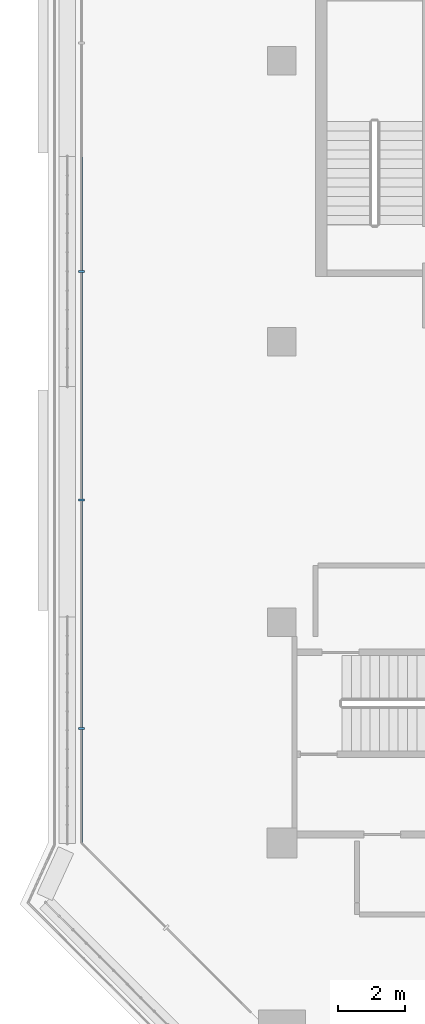
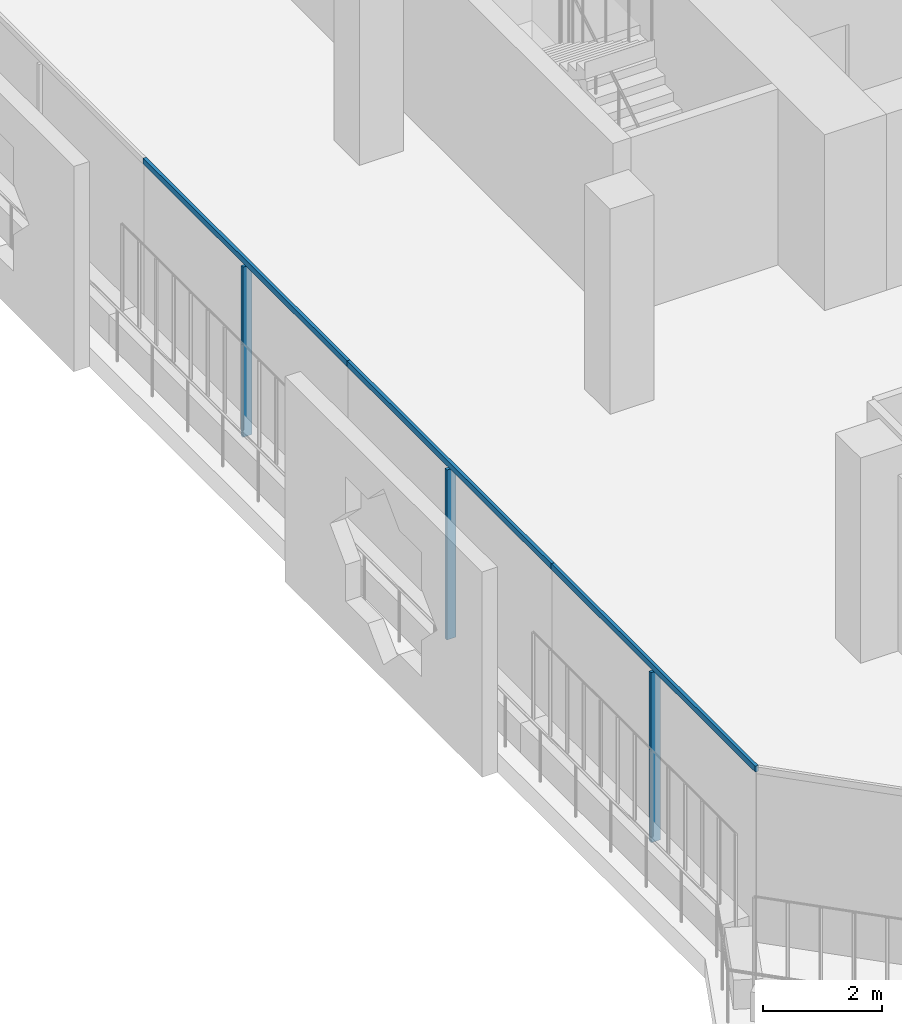
# One storey, part 3 of 24: 6 members, 1 element without a shape of its own.
"""IFC4 building model written with IfcOpenShell, lengths in metres."""

from ifc_helpers import new_model, si_unit, direction, frame, origin, origin_2d, place, context, subcontext, project, spatial, rectangle, extrude, material, layer, layer_set, material_profile, profile_set, type_object, element, aggregate, save


model = new_model("IFC4")

# Units and contexts
model_context = context("Model", 3, precision=1e-05, world=origin(), true_north=direction((0.0, 1.0)))
body_context = subcontext(model_context, "Body", "Model", "MODEL_VIEW")
ifc_project = project(units=[si_unit("LENGTHUNIT", "METRE"), si_unit("AREAUNIT", "SQUARE_METRE"), si_unit("VOLUMEUNIT", "CUBIC_METRE"), si_unit("PLANEANGLEUNIT", "RADIAN"), si_unit("MASSUNIT", "GRAM", prefix="KILO")], contexts=[model_context])

# Site, building, storey
site_placement = place(None, origin())
site = spatial("IfcSite", under=ifc_project, at=site_placement, CompositionType="ELEMENT")
building_placement = place(site_placement, origin())
building = spatial("IfcBuilding", under=site, at=building_placement, Name="Kawkab Arch Medical Tower", CompositionType="ELEMENT")
storey_placement = place(building_placement, frame((0.0, 0.0, 218.0)))
storey = spatial("IfcBuildingStorey", under=building, at=storey_placement, Name="L50", CompositionType="ELEMENT", Elevation=218.0)

# Curtain wall, members
ifc_material_1 = material(Name="Bronze anodised aluminium curtain wall frame", Category="aluminium")
ifc_layer = layer(ifc_material_1, 0.159912109375)
ifc_layer_set = layer_set([ifc_layer], Name="Bronze anodised aluminium curtain wall frame")
curtain_wall_type = type_object("IfcCurtainWallType", Name="CW1 ward curtain wall", PredefinedType="NOTDEFINED", material=ifc_layer_set)
curtain_wall_placement = place(storey_placement, origin())
curtain_wall = element("IfcCurtainWall", 1, at=curtain_wall_placement, inside=storey, type_object=curtain_wall_type, Name="CW1 Ward curtain wall R11", PredefinedType="NOTDEFINED")
ifc_material_2 = material(Name="Bronze anodised aluminium curtain wall frame", Category="aluminium")
ifc_material_profile_1 = material_profile(ifc_material_2, rectangle(XDim=0.179931640625, YDim=0.06005859375, at=origin_2d()), Name="AL 60x180")
ifc_profile_set_1 = profile_set([ifc_material_profile_1], Name="Bronze anodised aluminium curtain wall frame")
member_type_1 = type_object("IfcMemberType", Name="CW1 mullion 60 x 180", PredefinedType="MULLION", material=ifc_profile_set_1)
member_1_placement = place(storey_placement, frame((-6.0, -23.10009765625, 0.0), z_axis=(0.0, 0.0, 1.0), x_axis=(1.0, 0.0, 0.0)))
member_1 = element("IfcMember", 2, at=member_1_placement, type_object=member_type_1, Name="CW1 mullion 3.1", PredefinedType="MULLION", context=body_context, shape_type="SweptSolid", body=[
    extrude(rectangle(XDim=0.179931640625, YDim=0.06005859375, at=origin_2d()), origin(), (0.0, 0.0, 1.0), 3.47998046875),
])
member_2_placement = place(storey_placement, frame((-6.0, -29.93994140625, 0.0), z_axis=(0.0, 0.0, 1.0), x_axis=(1.0, 0.0, 0.0)))
member_2 = element("IfcMember", 3, at=member_2_placement, type_object=member_type_1, Name="CW1 mullion 4.1", PredefinedType="MULLION", context=body_context, shape_type="SweptSolid", body=[
    extrude(rectangle(XDim=0.179931640625, YDim=0.06005859375, at=origin_2d()), origin(), (0.0, 0.0, 1.0), 3.47998046875),
])
member_3_placement = place(storey_placement, frame((-6.0, -36.780029296875, 0.0), z_axis=(0.0, 0.0, 1.0), x_axis=(1.0, 0.0, 0.0)))
member_3 = element("IfcMember", 4, at=member_3_placement, type_object=member_type_1, Name="CW1 mullion 5.1", PredefinedType="MULLION", context=body_context, shape_type="SweptSolid", body=[
    extrude(rectangle(XDim=0.179931640625, YDim=0.06005859375, at=origin_2d()), origin(), (0.0, 0.0, 1.0), 3.47998046875),
])
ifc_material_3 = material(Name="Bronze anodised aluminium curtain wall frame", Category="aluminium")
ifc_material_profile_2 = material_profile(ifc_material_3, rectangle(XDim=0.06005859375, YDim=0.1201171875, at=origin_2d()), Name="AL 60x120")
ifc_profile_set_2 = profile_set([ifc_material_profile_2], Name="Bronze anodised aluminium curtain wall frame")
member_type_2 = type_object("IfcMemberType", Name="CW1 transom 120 x 60", PredefinedType="USERDEFINED", material=ifc_profile_set_2)
member_4_placement = place(storey_placement, frame((-6.0, -19.679931640625, 3.5400390625), z_axis=(0.0, -1.0, 0.0), x_axis=(1.0, 0.0, 0.0)))
member_4 = element("IfcMember", 5, at=member_4_placement, type_object=member_type_2, Name="CW1 transom 3", ObjectType="TRANSOM", PredefinedType="USERDEFINED", context=body_context, shape_type="SweptSolid", body=[
    extrude(rectangle(XDim=0.06005859375, YDim=0.1201171875, at=origin_2d()), origin(), (0.0, 0.0, 1.0), 6.840087890625),
])
member_5_placement = place(storey_placement, frame((-6.0, -26.52001953125, 3.5400390625), z_axis=(0.0, -1.0, 0.0), x_axis=(1.0, 0.0, 0.0)))
member_5 = element("IfcMember", 6, at=member_5_placement, type_object=member_type_2, Name="CW1 transom 4", ObjectType="TRANSOM", PredefinedType="USERDEFINED", context=body_context, shape_type="SweptSolid", body=[
    extrude(rectangle(XDim=0.06005859375, YDim=0.1201171875, at=origin_2d()), origin(), (0.0, 0.0, 1.0), 6.840087890625),
])
member_6_placement = place(storey_placement, frame((-6.0, -33.360107421875, 3.5400390625), z_axis=(0.0, -1.0, 0.0), x_axis=(1.0, 0.0, 0.0)))
member_6 = element("IfcMember", 7, at=member_6_placement, type_object=member_type_2, Name="CW1 transom 5", ObjectType="TRANSOM", PredefinedType="USERDEFINED", context=body_context, shape_type="SweptSolid", body=[
    extrude(rectangle(XDim=0.06005859375, YDim=0.1201171875, at=origin_2d()), origin(), (0.0, 0.0, 1.0), 6.83984375),
])
aggregate(curtain_wall, [member_4, member_1, member_5, member_2, member_6, member_3])

save(model, "model.ifc")
